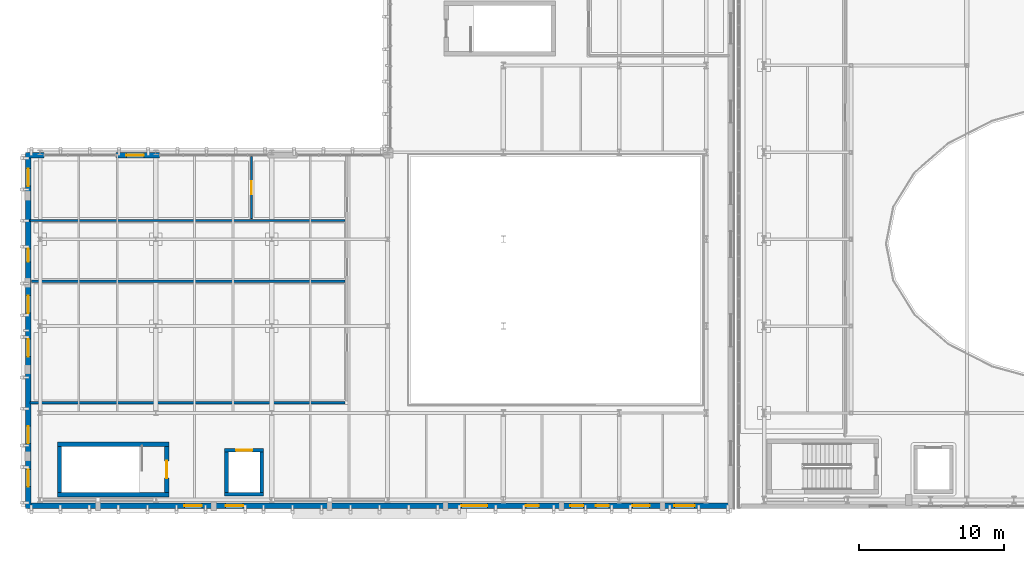
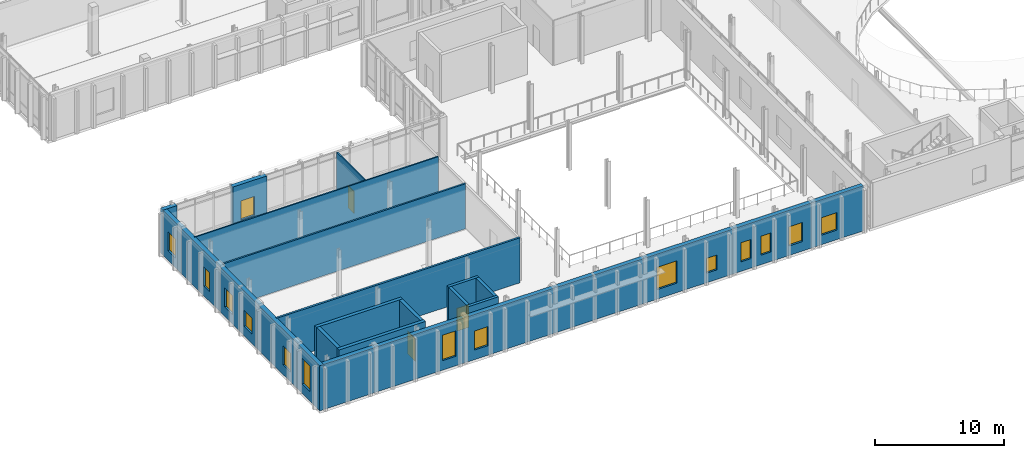
# One storey, part 67 of 100: 16 walls, 15 windows, 3 doors, 18 openings.
"""IFC4 building model written with IfcOpenShell, lengths in metres."""

from ifc_helpers import new_model, si_unit, direction, frame, frame_2d, origin, place, context, subcontext, project, spatial, rectangle, extrude, material, layer, layer_set, type_object, element, fill, save


model = new_model("IFC4")

# Units and contexts
model_context = context("Model", 3, precision=1e-05, world=origin(), true_north=direction((0.0, 1.0)))
body_context = subcontext(model_context, "Body", "Model", "MODEL_VIEW")
ifc_project = project(units=[si_unit("LENGTHUNIT", "METRE"), si_unit("AREAUNIT", "SQUARE_METRE"), si_unit("VOLUMEUNIT", "CUBIC_METRE"), si_unit("PLANEANGLEUNIT", "RADIAN"), si_unit("MASSUNIT", "GRAM", prefix="KILO")], contexts=[model_context])

# Site, building, storey
site_placement = place(None, origin())
site = spatial("IfcSite", under=ifc_project, at=site_placement, CompositionType="ELEMENT")
building_placement = place(site_placement, origin())
building = spatial("IfcBuilding", under=site, at=building_placement, Name="Cymarion Research Institute", CompositionType="ELEMENT")
storey_placement = place(building_placement, frame((0.0, 0.0, 9.300048828125)))
storey = spatial("IfcBuildingStorey", under=building, at=storey_placement, Name="L02", CompositionType="ELEMENT", Elevation=9.300048828125)

# Wall, openings, windows
ifc_material_1 = material(Name="Precast concrete C40/50", Category="concrete")
ifc_layer_1 = layer(ifc_material_1, 0.3798828125)
ifc_layer_set_1 = layer_set([ifc_layer_1], Name="Precast concrete C40/50")
wall_type_1 = type_object("IfcWallType", Name="EXTERIOR WALL EW-PC380 380MM", PredefinedType="SOLIDWALL", material=ifc_layer_set_1)
wall_1_placement = place(storey_placement, frame((5.9619140625, 5.090087890625, 0.0), z_axis=(0.0, 0.0, 1.0), x_axis=(1.0, 0.0, 0.0)))
wall_1 = element("IfcWall", 1, at=wall_1_placement, inside=storey, type_object=wall_type_1, Name="L02 V3 exterior wall EW-PC380 #145", PredefinedType="SOLIDWALL", context=body_context, shape_type="SweptSolid", body=[
    extrude(rectangle(XDim=48.176025390625, YDim=0.3798828125, at=frame_2d((24.087890625, 0.0))), origin(), (0.0, 0.0, 1.0), 4.25),
])
opening_1_placement = place(wall_1_placement, frame((10.614013671875, 0.0, 0.89990234375)))
opening_1 = element("IfcOpeningElement", 2, at=opening_1_placement, cuts=wall_1, Name="Opening W19", PredefinedType="OPENING", context=body_context, shape_type="SweptSolid", body=[
    extrude(rectangle(XDim=1.199951171875, YDim=2.39990234375, at=frame_2d((0.60009765625, 1.199951171875))), frame((0.0, 0.199951171875, 0.0), z_axis=(0.0, -1.0, 0.0), x_axis=(1.0, 0.0, 0.0)), (0.0, 0.0, 1.0), 0.39990234375),
])
opening_2_placement = place(wall_1_placement, frame((13.4580078125, 0.0, 0.89990234375)))
opening_2 = element("IfcOpeningElement", 3, at=opening_2_placement, cuts=wall_1, Name="Opening W01", PredefinedType="OPENING", context=body_context, shape_type="SweptSolid", body=[
    extrude(rectangle(XDim=1.199951171875, YDim=1.800048828125, at=frame_2d((0.60009765625, 0.89990234375))), frame((0.0, 0.199951171875, 0.0), z_axis=(0.0, -1.0, 0.0), x_axis=(1.0, 0.0, 0.0)), (0.0, 0.0, 1.0), 0.39990234375),
])
opening_3_placement = place(wall_1_placement, frame((29.738037109375, 0.0, 0.89990234375)))
opening_3 = element("IfcOpeningElement", 4, at=opening_3_placement, cuts=wall_1, Name="Opening W10", PredefinedType="OPENING", context=body_context, shape_type="SweptSolid", body=[
    extrude(rectangle(XDim=1.800048828125, YDim=2.10009765625, at=frame_2d((0.89990234375, 1.050048828125))), frame((0.0, 0.199951171875, 0.0), z_axis=(0.0, -1.0, 0.0), x_axis=(1.0, 0.0, 0.0)), (0.0, 0.0, 1.0), 0.39990234375),
])
opening_4_placement = place(wall_1_placement, frame((34.18798828125, 0.0, 0.89990234375)))
opening_4 = element("IfcOpeningElement", 5, at=opening_4_placement, cuts=wall_1, Name="Opening W25", PredefinedType="OPENING", context=body_context, shape_type="SweptSolid", body=[
    extrude(rectangle(XDim=0.89990234375, YDim=1.39990234375, at=frame_2d((0.449951171875, 0.699951171875))), frame((0.0, 0.199951171875, 0.0), z_axis=(0.0, -1.0, 0.0), x_axis=(1.0, 0.0, 0.0)), (0.0, 0.0, 1.0), 0.39990234375),
])
opening_5_placement = place(wall_1_placement, frame((37.258056640625, 0.0, 0.89990234375)))
opening_5 = element("IfcOpeningElement", 6, at=opening_5_placement, cuts=wall_1, Name="Opening W24", PredefinedType="OPENING", context=body_context, shape_type="SweptSolid", body=[
    extrude(rectangle(XDim=0.89990234375, YDim=1.800048828125, at=frame_2d((0.449951171875, 0.89990234375))), frame((0.0, 0.199951171875, 0.0), z_axis=(0.0, -1.0, 0.0), x_axis=(1.0, 0.0, 0.0)), (0.0, 0.0, 1.0), 0.39990234375),
])
opening_6_placement = place(wall_1_placement, frame((39.01806640625, 0.0, 0.89990234375)))
opening_6 = element("IfcOpeningElement", 7, at=opening_6_placement, cuts=wall_1, Name="Opening W24", PredefinedType="OPENING", context=body_context, shape_type="SweptSolid", body=[
    extrude(rectangle(XDim=0.89990234375, YDim=1.800048828125, at=frame_2d((0.449951171875, 0.89990234375))), frame((0.0, 0.199951171875, 0.0), z_axis=(0.0, -1.0, 0.0), x_axis=(1.0, 0.0, 0.0)), (0.0, 0.0, 1.0), 0.39990234375),
])
opening_7_placement = place(wall_1_placement, frame((41.5380859375, 0.0, 0.89990234375)))
opening_7 = element("IfcOpeningElement", 8, at=opening_7_placement, cuts=wall_1, Name="Opening W01", PredefinedType="OPENING", context=body_context, shape_type="SweptSolid", body=[
    extrude(rectangle(XDim=1.199951171875, YDim=1.800048828125, at=frame_2d((0.60009765625, 0.89990234375))), frame((0.0, 0.199951171875, 0.0), z_axis=(0.0, -1.0, 0.0), x_axis=(1.0, 0.0, 0.0)), (0.0, 0.0, 1.0), 0.39990234375),
])
opening_8_placement = place(wall_1_placement, frame((44.43798828125, 0.0, 0.89990234375)))
opening_8 = element("IfcOpeningElement", 9, at=opening_8_placement, cuts=wall_1, Name="Opening W33", PredefinedType="OPENING", context=body_context, shape_type="SweptSolid", body=[
    extrude(rectangle(XDim=1.39990234375, YDim=1.64990234375, at=frame_2d((0.699951171875, 0.824951171875))), frame((0.0, 0.199951171875, 0.0), z_axis=(0.0, -1.0, 0.0), x_axis=(1.0, 0.0, 0.0)), (0.0, 0.0, 1.0), 0.39990234375),
])
ifc_material_2 = material(Name="Thermally broken aluminium window with Low-E glazing", Category="aluminium")
window_type_1 = type_object("IfcWindowType", Name="THERMALLY BROKEN ALUMINIUM WINDOW W01 1200X1800", PartitioningType="SINGLE_PANEL", PredefinedType="WINDOW", material=ifc_material_2)
window_1_placement = place(opening_2_placement, origin())
window_1 = element("IfcWindow", 10, at=window_1_placement, inside=storey, type_object=window_type_1, Name="L02 V3 facade window W01 #255", OverallHeight=1.800048828125, OverallWidth=1.199951171875, PartitioningType="SINGLE_PANEL", PredefinedType="WINDOW", context=body_context, shape_type="SweptSolid", body=[
    extrude(rectangle(XDim=1.199951171875, YDim=1.800048828125, at=frame_2d((0.60009765625, 0.89990234375))), frame((0.0, 0.030029296875, 0.0), z_axis=(0.0, -1.0, 0.0), x_axis=(1.0, 0.0, 0.0)), (0.0, 0.0, 1.0), 0.06005859375),
])
fill(opening_2, window_1)
window_2_placement = place(opening_7_placement, origin())
window_2 = element("IfcWindow", 11, at=window_2_placement, inside=storey, type_object=window_type_1, Name="L02 V3 facade window W01 #260", OverallHeight=1.800048828125, OverallWidth=1.199951171875, PartitioningType="SINGLE_PANEL", PredefinedType="WINDOW", context=body_context, shape_type="SweptSolid", body=[
    extrude(rectangle(XDim=1.199951171875, YDim=1.800048828125, at=frame_2d((0.60009765625, 0.89990234375))), frame((0.0, 0.030029296875, 0.0), z_axis=(0.0, -1.0, 0.0), x_axis=(1.0, 0.0, 0.0)), (0.0, 0.0, 1.0), 0.06005859375),
])
fill(opening_7, window_2)
window_type_2 = type_object("IfcWindowType", Name="THERMALLY BROKEN ALUMINIUM WINDOW W10 1800X2100", PartitioningType="DOUBLE_PANEL_VERTICAL", PredefinedType="WINDOW", material=ifc_material_2)
window_3_placement = place(opening_3_placement, origin())
window_3 = element("IfcWindow", 12, at=window_3_placement, inside=storey, type_object=window_type_2, Name="L02 V3 facade window W10 #256", OverallHeight=2.10009765625, OverallWidth=1.800048828125, PartitioningType="SINGLE_PANEL", PredefinedType="WINDOW", context=body_context, shape_type="SweptSolid", body=[
    extrude(rectangle(XDim=1.800048828125, YDim=2.10009765625, at=frame_2d((0.89990234375, 1.050048828125))), frame((0.0, 0.030029296875, 0.0), z_axis=(0.0, -1.0, 0.0), x_axis=(1.0, 0.0, 0.0)), (0.0, 0.0, 1.0), 0.06005859375),
])
fill(opening_3, window_3)
window_type_3 = type_object("IfcWindowType", Name="THERMALLY BROKEN ALUMINIUM WINDOW W19 1200X2400", PartitioningType="SINGLE_PANEL", PredefinedType="WINDOW", material=ifc_material_2)
window_4_placement = place(opening_1_placement, origin())
window_4 = element("IfcWindow", 13, at=window_4_placement, inside=storey, type_object=window_type_3, Name="L02 V3 facade window W19 #254", OverallHeight=2.39990234375, OverallWidth=1.199951171875, PartitioningType="SINGLE_PANEL", PredefinedType="WINDOW", context=body_context, shape_type="SweptSolid", body=[
    extrude(rectangle(XDim=1.199951171875, YDim=2.39990234375, at=frame_2d((0.60009765625, 1.199951171875))), frame((0.0, 0.030029296875, 0.0), z_axis=(0.0, -1.0, 0.0), x_axis=(1.0, 0.0, 0.0)), (0.0, 0.0, 1.0), 0.06005859375),
])
fill(opening_1, window_4)
window_type_4 = type_object("IfcWindowType", Name="THERMALLY BROKEN ALUMINIUM WINDOW W24 900X1800", PartitioningType="SINGLE_PANEL", PredefinedType="WINDOW", material=ifc_material_2)
window_5_placement = place(opening_5_placement, origin())
window_5 = element("IfcWindow", 14, at=window_5_placement, inside=storey, type_object=window_type_4, Name="L02 V3 facade window W24 #258", OverallHeight=1.800048828125, OverallWidth=0.89990234375, PartitioningType="SINGLE_PANEL", PredefinedType="WINDOW", context=body_context, shape_type="SweptSolid", body=[
    extrude(rectangle(XDim=0.89990234375, YDim=1.800048828125, at=frame_2d((0.449951171875, 0.89990234375))), frame((0.0, 0.030029296875, 0.0), z_axis=(0.0, -1.0, 0.0), x_axis=(1.0, 0.0, 0.0)), (0.0, 0.0, 1.0), 0.06005859375),
])
fill(opening_5, window_5)
window_6_placement = place(opening_6_placement, origin())
window_6 = element("IfcWindow", 15, at=window_6_placement, inside=storey, type_object=window_type_4, Name="L02 V3 facade window W24 #259", OverallHeight=1.800048828125, OverallWidth=0.89990234375, PartitioningType="SINGLE_PANEL", PredefinedType="WINDOW", context=body_context, shape_type="SweptSolid", body=[
    extrude(rectangle(XDim=0.89990234375, YDim=1.800048828125, at=frame_2d((0.449951171875, 0.89990234375))), frame((0.0, 0.030029296875, 0.0), z_axis=(0.0, -1.0, 0.0), x_axis=(1.0, 0.0, 0.0)), (0.0, 0.0, 1.0), 0.06005859375),
])
fill(opening_6, window_6)
window_type_5 = type_object("IfcWindowType", Name="THERMALLY BROKEN ALUMINIUM WINDOW W25 900X1400", PartitioningType="SINGLE_PANEL", PredefinedType="WINDOW", material=ifc_material_2)
window_7_placement = place(opening_4_placement, origin())
window_7 = element("IfcWindow", 16, at=window_7_placement, inside=storey, type_object=window_type_5, Name="L02 V3 facade window W25 #257", OverallHeight=1.39990234375, OverallWidth=0.89990234375, PartitioningType="SINGLE_PANEL", PredefinedType="WINDOW", context=body_context, shape_type="SweptSolid", body=[
    extrude(rectangle(XDim=0.89990234375, YDim=1.39990234375, at=frame_2d((0.449951171875, 0.699951171875))), frame((0.0, 0.030029296875, 0.0), z_axis=(0.0, -1.0, 0.0), x_axis=(1.0, 0.0, 0.0)), (0.0, 0.0, 1.0), 0.06005859375),
])
fill(opening_4, window_7)
window_type_6 = type_object("IfcWindowType", Name="THERMALLY BROKEN ALUMINIUM WINDOW W33 1400X1650", PartitioningType="SINGLE_PANEL", PredefinedType="WINDOW", material=ifc_material_2)
window_8_placement = place(opening_8_placement, origin())
window_8 = element("IfcWindow", 17, at=window_8_placement, inside=storey, type_object=window_type_6, Name="L02 V3 facade window W33 #261", OverallHeight=1.64990234375, OverallWidth=1.39990234375, PartitioningType="SINGLE_PANEL", PredefinedType="WINDOW", context=body_context, shape_type="SweptSolid", body=[
    extrude(rectangle(XDim=1.39990234375, YDim=1.64990234375, at=frame_2d((0.699951171875, 0.824951171875))), frame((0.0, 0.030029296875, 0.0), z_axis=(0.0, -1.0, 0.0), x_axis=(1.0, 0.0, 0.0)), (0.0, 0.0, 1.0), 0.06005859375),
])
fill(opening_8, window_8)

# Wall, opening, window
wall_2_placement = place(storey_placement, frame((14.860107421875, 29.31005859375, 0.0), z_axis=(0.0, 0.0, 1.0), x_axis=(-1.0, 0.0, 0.0)))
wall_2 = element("IfcWall", 18, at=wall_2_placement, inside=storey, type_object=wall_type_1, Name="L02 V3 facade pier wall EW-PC380 #151", PredefinedType="SOLIDWALL", context=body_context, shape_type="SweptSolid", body=[
    extrude(rectangle(XDim=3.010009765625, YDim=0.3798828125, at=frame_2d((1.5048828125, 0.0))), origin(), (0.0, 0.0, 1.0), 4.25),
])
opening_9_placement = place(wall_2_placement, frame((1.094970703125, 0.0, 0.89990234375)))
opening_9 = element("IfcOpeningElement", 19, at=opening_9_placement, cuts=wall_2, Name="Opening W01", PredefinedType="OPENING", context=body_context, shape_type="SweptSolid", body=[
    extrude(rectangle(XDim=1.199951171875, YDim=1.800048828125, at=frame_2d((0.60009765625, 0.89990234375))), frame((0.0, 0.199951171875, 0.0), z_axis=(0.0, -1.0, 0.0), x_axis=(1.0, 0.0, 0.0)), (0.0, 0.0, 1.0), 0.39990234375),
])
window_9_placement = place(opening_9_placement, origin())
window_9 = element("IfcWindow", 20, at=window_9_placement, inside=storey, type_object=window_type_1, Name="L02 V3 facade window W01 #272", OverallHeight=1.800048828125, OverallWidth=1.199951171875, PartitioningType="SINGLE_PANEL", PredefinedType="WINDOW", context=body_context, shape_type="SweptSolid", body=[
    extrude(rectangle(XDim=1.199951171875, YDim=1.800048828125, at=frame_2d((0.60009765625, 0.89990234375))), frame((0.0, 0.030029296875, 0.0), z_axis=(0.0, -1.0, 0.0), x_axis=(1.0, 0.0, 0.0)), (0.0, 0.0, 1.0), 0.06005859375),
])
fill(opening_9, window_9)

# Wall
wall_3_placement = place(storey_placement, frame((6.860107421875, 29.31005859375, 0.0), z_axis=(0.0, 0.0, 1.0), x_axis=(-1.0, 0.0, 0.0)))
element("IfcWall", 21, at=wall_3_placement, inside=storey, type_object=wall_type_1, Name="L02 V3 facade pier wall EW-PC380 #152", PredefinedType="SOLIDWALL", context=body_context, shape_type="SweptSolid", body=[
    extrude(rectangle(XDim=1.260009765625, YDim=0.3798828125, at=frame_2d((0.6298828125, 0.0))), origin(), (0.0, 0.0, 1.0), 4.25),
])

# Wall, openings, windows
wall_4_placement = place(storey_placement, frame((5.7900390625, 29.137939453125, 0.0), z_axis=(0.0, 0.0, 1.0), x_axis=(0.0, -1.0, 0.0)))
wall_4 = element("IfcWall", 22, at=wall_4_placement, inside=storey, type_object=wall_type_1, Name="L02 V3 exterior wall EW-PC380 #153", PredefinedType="SOLIDWALL", context=body_context, shape_type="SweptSolid", body=[
    extrude(rectangle(XDim=24.238037109375, YDim=0.3798828125, at=frame_2d((12.119140625, 0.0))), origin(), (0.0, 0.0, 1.0), 4.25),
])
opening_10_placement = place(wall_4_placement, frame((0.76904296875, 0.0, 0.89990234375)))
opening_10 = element("IfcOpeningElement", 23, at=opening_10_placement, cuts=wall_4, Name="Opening W01", PredefinedType="OPENING", context=body_context, shape_type="SweptSolid", body=[
    extrude(rectangle(XDim=1.199951171875, YDim=1.800048828125, at=frame_2d((0.60009765625, 0.89990234375))), frame((0.0, 0.199951171875, 0.0), z_axis=(0.0, -1.0, 0.0), x_axis=(1.0, 0.0, 0.0)), (0.0, 0.0, 1.0), 0.39990234375),
])
opening_11_placement = place(wall_4_placement, frame((6.30810546875, 0.0, 0.89990234375)))
opening_11 = element("IfcOpeningElement", 24, at=opening_11_placement, cuts=wall_4, Name="Opening W24", PredefinedType="OPENING", context=body_context, shape_type="SweptSolid", body=[
    extrude(rectangle(XDim=0.89990234375, YDim=1.800048828125, at=frame_2d((0.449951171875, 0.89990234375))), frame((0.0, 0.199951171875, 0.0), z_axis=(0.0, -1.0, 0.0), x_axis=(1.0, 0.0, 0.0)), (0.0, 0.0, 1.0), 0.39990234375),
])
opening_12_placement = place(wall_4_placement, frame((9.5380859375, 0.0, 0.89990234375)))
opening_12 = element("IfcOpeningElement", 25, at=opening_12_placement, cuts=wall_4, Name="Opening W01", PredefinedType="OPENING", context=body_context, shape_type="SweptSolid", body=[
    extrude(rectangle(XDim=1.199951171875, YDim=1.800048828125, at=frame_2d((0.60009765625, 0.89990234375))), frame((0.0, 0.199951171875, 0.0), z_axis=(0.0, -1.0, 0.0), x_axis=(1.0, 0.0, 0.0)), (0.0, 0.0, 1.0), 0.39990234375),
])
opening_13_placement = place(wall_4_placement, frame((12.5380859375, 0.0, 0.89990234375)))
opening_13 = element("IfcOpeningElement", 26, at=opening_13_placement, cuts=wall_4, Name="Opening W15", PredefinedType="OPENING", context=body_context, shape_type="SweptSolid", body=[
    extrude(rectangle(XDim=1.199951171875, YDim=1.5, at=frame_2d((0.60009765625, 0.75))), frame((0.0, 0.199951171875, 0.0), z_axis=(0.0, -1.0, 0.0), x_axis=(1.0, 0.0, 0.0)), (0.0, 0.0, 1.0), 0.39990234375),
])
opening_14_placement = place(wall_4_placement, frame((18.5380859375, 0.0, 0.89990234375)))
opening_14 = element("IfcOpeningElement", 27, at=opening_14_placement, cuts=wall_4, Name="Opening W01", PredefinedType="OPENING", context=body_context, shape_type="SweptSolid", body=[
    extrude(rectangle(XDim=1.199951171875, YDim=1.800048828125, at=frame_2d((0.60009765625, 0.89990234375))), frame((0.0, 0.199951171875, 0.0), z_axis=(0.0, -1.0, 0.0), x_axis=(1.0, 0.0, 0.0)), (0.0, 0.0, 1.0), 0.39990234375),
])
opening_15_placement = place(wall_4_placement, frame((21.528076171875, 0.0, 0.89990234375)))
opening_15 = element("IfcOpeningElement", 28, at=opening_15_placement, cuts=wall_4, Name="Opening W19", PredefinedType="OPENING", context=body_context, shape_type="SweptSolid", body=[
    extrude(rectangle(XDim=1.199951171875, YDim=2.39990234375, at=frame_2d((0.60009765625, 1.199951171875))), frame((0.0, 0.199951171875, 0.0), z_axis=(0.0, -1.0, 0.0), x_axis=(1.0, 0.0, 0.0)), (0.0, 0.0, 1.0), 0.39990234375),
])
window_10_placement = place(opening_10_placement, origin())
window_10 = element("IfcWindow", 29, at=window_10_placement, inside=storey, type_object=window_type_1, Name="L02 V3 facade window W01 #273", OverallHeight=1.800048828125, OverallWidth=1.199951171875, PartitioningType="SINGLE_PANEL", PredefinedType="WINDOW", context=body_context, shape_type="SweptSolid", body=[
    extrude(rectangle(XDim=1.199951171875, YDim=1.800048828125, at=frame_2d((0.60009765625, 0.89990234375))), frame((0.0, 0.030029296875, 0.0), z_axis=(0.0, -1.0, 0.0), x_axis=(1.0, 0.0, 0.0)), (0.0, 0.0, 1.0), 0.06005859375),
])
fill(opening_10, window_10)
window_11_placement = place(opening_12_placement, origin())
window_11 = element("IfcWindow", 30, at=window_11_placement, inside=storey, type_object=window_type_1, Name="L02 V3 facade window W01 #275", OverallHeight=1.800048828125, OverallWidth=1.199951171875, PartitioningType="SINGLE_PANEL", PredefinedType="WINDOW", context=body_context, shape_type="SweptSolid", body=[
    extrude(rectangle(XDim=1.199951171875, YDim=1.800048828125, at=frame_2d((0.60009765625, 0.89990234375))), frame((0.0, 0.030029296875, 0.0), z_axis=(0.0, -1.0, 0.0), x_axis=(1.0, 0.0, 0.0)), (0.0, 0.0, 1.0), 0.06005859375),
])
fill(opening_12, window_11)
window_12_placement = place(opening_14_placement, origin())
window_12 = element("IfcWindow", 31, at=window_12_placement, inside=storey, type_object=window_type_1, Name="L02 V3 facade window W01 #277", OverallHeight=1.800048828125, OverallWidth=1.199951171875, PartitioningType="SINGLE_PANEL", PredefinedType="WINDOW", context=body_context, shape_type="SweptSolid", body=[
    extrude(rectangle(XDim=1.199951171875, YDim=1.800048828125, at=frame_2d((0.60009765625, 0.89990234375))), frame((0.0, 0.030029296875, 0.0), z_axis=(0.0, -1.0, 0.0), x_axis=(1.0, 0.0, 0.0)), (0.0, 0.0, 1.0), 0.06005859375),
])
fill(opening_14, window_12)
window_type_7 = type_object("IfcWindowType", Name="THERMALLY BROKEN ALUMINIUM WINDOW W15 1200X1500", PartitioningType="SINGLE_PANEL", PredefinedType="WINDOW", material=ifc_material_2)
window_13_placement = place(opening_13_placement, origin())
window_13 = element("IfcWindow", 32, at=window_13_placement, inside=storey, type_object=window_type_7, Name="L02 V3 facade window W15 #276", OverallHeight=1.5, OverallWidth=1.199951171875, PartitioningType="SINGLE_PANEL", PredefinedType="WINDOW", context=body_context, shape_type="SweptSolid", body=[
    extrude(rectangle(XDim=1.199951171875, YDim=1.5, at=frame_2d((0.60009765625, 0.75))), frame((0.0, 0.030029296875, 0.0), z_axis=(0.0, -1.0, 0.0), x_axis=(1.0, 0.0, 0.0)), (0.0, 0.0, 1.0), 0.06005859375),
])
fill(opening_13, window_13)
window_14_placement = place(opening_15_placement, origin())
window_14 = element("IfcWindow", 33, at=window_14_placement, inside=storey, type_object=window_type_3, Name="L02 V3 facade window W19 #278", OverallHeight=2.39990234375, OverallWidth=1.199951171875, PartitioningType="SINGLE_PANEL", PredefinedType="WINDOW", context=body_context, shape_type="SweptSolid", body=[
    extrude(rectangle(XDim=1.199951171875, YDim=2.39990234375, at=frame_2d((0.60009765625, 1.199951171875))), frame((0.0, 0.030029296875, 0.0), z_axis=(0.0, -1.0, 0.0), x_axis=(1.0, 0.0, 0.0)), (0.0, 0.0, 1.0), 0.06005859375),
])
fill(opening_15, window_14)
window_15_placement = place(opening_11_placement, origin())
window_15 = element("IfcWindow", 34, at=window_15_placement, inside=storey, type_object=window_type_4, Name="L02 V3 facade window W24 #274", OverallHeight=1.800048828125, OverallWidth=0.89990234375, PartitioningType="SINGLE_PANEL", PredefinedType="WINDOW", context=body_context, shape_type="SweptSolid", body=[
    extrude(rectangle(XDim=0.89990234375, YDim=1.800048828125, at=frame_2d((0.449951171875, 0.89990234375))), frame((0.0, 0.030029296875, 0.0), z_axis=(0.0, -1.0, 0.0), x_axis=(1.0, 0.0, 0.0)), (0.0, 0.0, 1.0), 0.06005859375),
])
fill(opening_11, window_15)

# Walls
ifc_material_3 = material(Name="Gypsum acoustic double-stud partition", Category="gypsum")
ifc_layer_2 = layer(ifc_material_3, 0.14990234375)
ifc_layer_set_2 = layer_set([ifc_layer_2], Name="Gypsum acoustic double-stud partition")
wall_type_2 = type_object("IfcWallType", Name="INTERIOR PARTITION IW-AC150 150MM", PredefinedType="PARTITIONING", material=ifc_layer_set_2)
wall_5_placement = place(storey_placement, frame((6.0, 20.60009765625, 0.0), z_axis=(0.0, 0.0, 1.0), x_axis=(1.0, 0.0, 0.0)))
element("IfcWall", 35, at=wall_5_placement, inside=storey, type_object=wall_type_2, Name="L02 V3 interior partition IW-AC150 #184", PredefinedType="PARTITIONING", context=body_context, shape_type="SweptSolid", body=[
    extrude(rectangle(XDim=21.659912109375, YDim=0.14990234375, at=frame_2d((10.830078125, 0.0))), origin(), (0.0, 0.0, 1.0), 4.25),
])
ifc_material_4 = material(Name="Moisture-resistant laboratory partition", Category="gypsum")
ifc_layer_3 = layer(ifc_material_4, 0.179931640625)
ifc_layer_set_3 = layer_set([ifc_layer_3], Name="Moisture-resistant laboratory partition")
wall_type_3 = type_object("IfcWallType", Name="INTERIOR PARTITION IW-LB180 180MM", PredefinedType="PARTITIONING", material=ifc_layer_set_3)
wall_6_placement = place(storey_placement, frame((5.905029296875, 12.199951171875, 0.0), z_axis=(0.0, 0.0, 1.0), x_axis=(1.0, 0.0, 0.0)))
element("IfcWall", 36, at=wall_6_placement, inside=storey, type_object=wall_type_3, Name="L02 V3 interior partition IW-LB180 #183", PredefinedType="PARTITIONING", context=body_context, shape_type="SweptSolid", body=[
    extrude(rectangle(XDim=21.7548828125, YDim=0.179931640625, at=frame_2d((10.87744140625, 0.0))), origin(), (0.0, 0.0, 1.0), 4.25),
])
ifc_material_5 = material(Name="Service riser shaft wall", Category="gypsum")
ifc_layer_4 = layer(ifc_material_5, 0.1201171875)
ifc_layer_set_4 = layer_set([ifc_layer_4], Name="Service riser shaft wall")
wall_type_4 = type_object("IfcWallType", Name="INTERIOR PARTITION IW-SH120 120MM", PredefinedType="PARTITIONING", material=ifc_layer_set_4)
wall_7_placement = place(storey_placement, frame((5.905029296875, 24.800048828125, 0.0), z_axis=(0.0, 0.0, 1.0), x_axis=(1.0, 0.0, 0.0)))
element("IfcWall", 37, at=wall_7_placement, inside=storey, type_object=wall_type_4, Name="L02 V3 interior partition IW-SH120 #185", PredefinedType="PARTITIONING", context=body_context, shape_type="SweptSolid", body=[
    extrude(rectangle(XDim=21.7548828125, YDim=0.1201171875, at=frame_2d((10.87744140625, 0.0))), origin(), (0.0, 0.0, 1.0), 4.25),
])

# Wall, opening, door
wall_8_placement = place(storey_placement, frame((21.199951171875, 24.919921875, 0.0), z_axis=(0.0, 0.0, 1.0), x_axis=(0.0, 1.0, 0.0)))
wall_8 = element("IfcWall", 38, at=wall_8_placement, inside=storey, type_object=wall_type_4, Name="L02 V3 interior partition IW-SH120 #186", PredefinedType="PARTITIONING", context=body_context, shape_type="SweptSolid", body=[
    extrude(rectangle(XDim=4.275146484375, YDim=0.1201171875, at=frame_2d((2.1376953125, 0.0))), origin(), (0.0, 0.0, 1.0), 4.25),
])
opening_16_placement = place(wall_8_placement, frame((1.68701171875, 0.0, 0.0)))
opening_16 = element("IfcOpeningElement", 39, at=opening_16_placement, cuts=wall_8, Name="Opening D-L02-124", PredefinedType="OPENING", context=body_context, shape_type="SweptSolid", body=[
    extrude(rectangle(XDim=0.89990234375, YDim=2.10009765625, at=frame_2d((0.449951171875, 1.050048828125))), frame((0.0, 0.070068359375, 0.0), z_axis=(0.0, -1.0, 0.0), x_axis=(1.0, 0.0, 0.0)), (0.0, 0.0, 1.0), 0.14013671875),
])
ifc_material_6 = material(Name="Flush acoustic timber/steel door assembly", Category="steel")
door_type_1 = type_object("IfcDoorType", Name="RESEARCH WRITE-UP OFFICE DOOR DT-OF090 900X2100", OperationType="NOTDEFINED", PredefinedType="DOOR", material=ifc_material_6)
door_1_placement = place(opening_16_placement, origin())
door_1 = element("IfcDoor", 40, at=door_1_placement, inside=storey, type_object=door_type_1, Name="L02 Symposium Cloakroom door D-L02-124", OperationType="SINGLE_SWING_LEFT", OverallHeight=2.10009765625, OverallWidth=0.89990234375, PredefinedType="DOOR", context=body_context, shape_type="SweptSolid", body=[
    extrude(rectangle(XDim=0.89990234375, YDim=2.10009765625, at=frame_2d((0.449951171875, 1.050048828125))), frame((0.0, 0.02490234375, 0.0), z_axis=(0.0, -1.0, 0.0), x_axis=(1.0, 0.0, 0.0)), (0.0, 0.0, 1.0), 0.050048828125),
])
fill(opening_16, door_1)

# Wall
ifc_material_7 = material(Name="Concrete C40/50", Category="concrete")
ifc_layer_5 = layer(ifc_material_7, 0.25)
ifc_layer_set_5 = layer_set([ifc_layer_5], Name="Concrete C40/50")
wall_type_5 = type_object("IfcWallType", Name="REINFORCED CONCRETE CORE WALL CW-SH250 250MM", PredefinedType="SHEAR", material=ifc_layer_set_5)
wall_9_placement = place(storey_placement, frame((19.35009765625, 5.875, 0.0), z_axis=(0.0, 0.0, 1.0), x_axis=(1.0, 0.0, 0.0)))
element("IfcWall", 41, at=wall_9_placement, inside=storey, type_object=wall_type_5, Name="L02 LSH-LP3-L02 south core wall", PredefinedType="SHEAR", context=body_context, shape_type="SweptSolid", body=[
    extrude(rectangle(XDim=2.699951171875, YDim=0.25, at=frame_2d((1.35009765625, 0.0))), origin(), (0.0, 0.0, 1.0), 4.5),
])

# Wall, opening, door
wall_10_placement = place(storey_placement, frame((22.050048828125, 8.925048828125, 0.0), z_axis=(0.0, 0.0, 1.0), x_axis=(-1.0, 0.0, 0.0)))
wall_10 = element("IfcWall", 42, at=wall_10_placement, inside=storey, type_object=wall_type_5, Name="L02 LSH-LP3-L02 north core wall", PredefinedType="SHEAR", context=body_context, shape_type="SweptSolid", body=[
    extrude(rectangle(XDim=2.699951171875, YDim=0.25, at=frame_2d((1.35009765625, 0.0))), origin(), (0.0, 0.0, 1.0), 4.5),
])
opening_17_placement = place(wall_10_placement, frame((0.800048828125, 0.0, 0.0)))
opening_17 = element("IfcOpeningElement", 43, at=opening_17_placement, cuts=wall_10, Name="Opening LD-LP3-L02", PredefinedType="OPENING", context=body_context, shape_type="SweptSolid", body=[
    extrude(rectangle(XDim=1.10009765625, YDim=2.14990234375, at=frame_2d((0.550048828125, 1.074951171875))), frame((0.0, 0.135009765625, 0.0), z_axis=(0.0, -1.0, 0.0), x_axis=(1.0, 0.0, 0.0)), (0.0, 0.0, 1.0), 0.27001953125),
])
ifc_material_8 = material(Name="Fire-rated insulated steel door assembly", Category="steel")
door_type_2 = type_object("IfcDoorType", Name="SLIDING LIFT LANDING DOOR DT-LD110 1100X2150", OperationType="DOUBLE_DOOR_SLIDING", PredefinedType="DOOR", material=ifc_material_8)
door_2_placement = place(opening_17_placement, origin())
door_2 = element("IfcDoor", 44, at=door_2_placement, inside=storey, type_object=door_type_2, Name="Lift LP3 landing door L02", OperationType="DOUBLE_DOOR_SLIDING", OverallHeight=2.14990234375, OverallWidth=1.10009765625, PredefinedType="DOOR", context=body_context, shape_type="SweptSolid", body=[
    extrude(rectangle(XDim=1.10009765625, YDim=2.14990234375, at=frame_2d((0.550048828125, 1.074951171875))), frame((0.0, 0.02490234375, 0.0), z_axis=(0.0, -1.0, 0.0), x_axis=(1.0, 0.0, 0.0)), (0.0, 0.0, 1.0), 0.050048828125),
])
fill(opening_17, door_2)

# Walls
for number, where, z_axis, x_axis, name in (
    (45, (19.47509765625, 8.800048828125, 0.0), (0.0, 0.0, 1.0), (0.0, -1.0, 0.0), "L02 LSH-LP3-L02 west core wall"),
    (46, (21.925048828125, 6.0, 0.0), (0.0, 0.0, 1.0), (0.0, 1.0, 0.0), "L02 LSH-LP3-L02 east core wall"),
):
    element("IfcWall", number, at=place(storey_placement, frame(where, z_axis=z_axis, x_axis=x_axis)), inside=storey, type_object=wall_type_5, Name=name, PredefinedType="SHEAR", context=body_context, shape_type="SweptSolid", body=[
        extrude(rectangle(XDim=2.800048828125, YDim=0.25, at=frame_2d((1.39990234375, 0.0))), origin(), (0.0, 0.0, 1.0), 4.5),
    ])
ifc_layer_6 = layer(ifc_material_7, 0.300048828125)
ifc_layer_set_6 = layer_set([ifc_layer_6], Name="Concrete C40/50")
wall_type_6 = type_object("IfcWallType", Name="REINFORCED CONCRETE CORE WALL CW-SH300 300MM", PredefinedType="SHEAR", material=ifc_layer_set_6)
for number, where, z_axis, x_axis, name in (
    (47, (7.800048828125, 5.85009765625, 0.0), (0.0, 0.0, 1.0), (1.0, 0.0, 0.0), "L02 SHW-C5-L02 south core wall"),
    (48, (15.5, 9.35009765625, 0.0), (0.0, 0.0, 1.0), (-1.0, 0.0, 0.0), "L02 SHW-C5-L02 north core wall"),
):
    element("IfcWall", number, at=place(storey_placement, frame(where, z_axis=z_axis, x_axis=x_axis)), inside=storey, type_object=wall_type_6, Name=name, PredefinedType="SHEAR", context=body_context, shape_type="SweptSolid", body=[
        extrude(rectangle(XDim=7.699951171875, YDim=0.300048828125, at=frame_2d((3.85009765625, 0.0))), origin(), (0.0, 0.0, 1.0), 4.5),
    ])
wall_11_placement = place(storey_placement, frame((7.949951171875, 9.199951171875, 0.0), z_axis=(0.0, 0.0, 1.0), x_axis=(0.0, -1.0, 0.0)))
element("IfcWall", 49, at=wall_11_placement, inside=storey, type_object=wall_type_6, Name="L02 SHW-C5-L02 west core wall", PredefinedType="SHEAR", context=body_context, shape_type="SweptSolid", body=[
    extrude(rectangle(XDim=3.199951171875, YDim=0.300048828125, at=frame_2d((1.60009765625, 0.0))), origin(), (0.0, 0.0, 1.0), 4.5),
])

# Wall, opening, door
wall_12_placement = place(storey_placement, frame((15.35009765625, 6.0, 0.0), z_axis=(0.0, 0.0, 1.0), x_axis=(0.0, 1.0, 0.0)))
wall_12 = element("IfcWall", 50, at=wall_12_placement, inside=storey, type_object=wall_type_6, Name="L02 SHW-C5-L02 east core wall", PredefinedType="SHEAR", context=body_context, shape_type="SweptSolid", body=[
    extrude(rectangle(XDim=3.199951171875, YDim=0.300048828125, at=frame_2d((1.60009765625, 0.0))), origin(), (0.0, 0.0, 1.0), 4.5),
])
opening_18_placement = place(wall_12_placement, frame((1.0, 0.0, 0.0)))
opening_18 = element("IfcOpeningElement", 51, at=opening_18_placement, cuts=wall_12, Name="Opening FD-L02-ST5", PredefinedType="OPENING", context=body_context, shape_type="SweptSolid", body=[
    extrude(rectangle(XDim=1.199951171875, YDim=2.14990234375, at=frame_2d((0.60009765625, 1.074951171875))), frame((0.0, 0.159912109375, 0.0), z_axis=(0.0, -1.0, 0.0), x_axis=(1.0, 0.0, 0.0)), (0.0, 0.0, 1.0), 0.320068359375),
])
door_type_3 = type_object("IfcDoorType", Name="SMOKE PROOF STAIR FIRE DOOR DT-ST120 1200X2150", OperationType="NOTDEFINED", PredefinedType="DOOR", material=ifc_material_8)
door_3_placement = place(opening_18_placement, origin())
door_3 = element("IfcDoor", 52, at=door_3_placement, inside=storey, type_object=door_type_3, Name="L02 ST5 smoke-proof stair door FD-L02-ST5", OperationType="SINGLE_SWING_RIGHT", OverallHeight=2.14990234375, OverallWidth=1.199951171875, PredefinedType="DOOR", context=body_context, shape_type="SweptSolid", body=[
    extrude(rectangle(XDim=1.199951171875, YDim=2.14990234375, at=frame_2d((0.60009765625, 1.074951171875))), frame((0.0, 0.02490234375, 0.0), z_axis=(0.0, -1.0, 0.0), x_axis=(1.0, 0.0, 0.0)), (0.0, 0.0, 1.0), 0.050048828125),
])
fill(opening_18, door_3)

save(model, "model.ifc")
